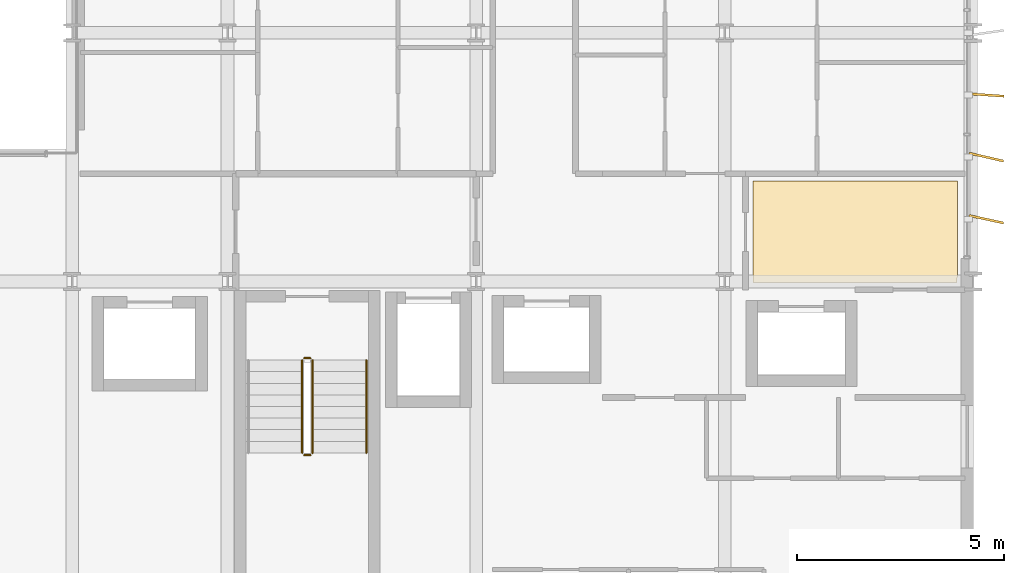
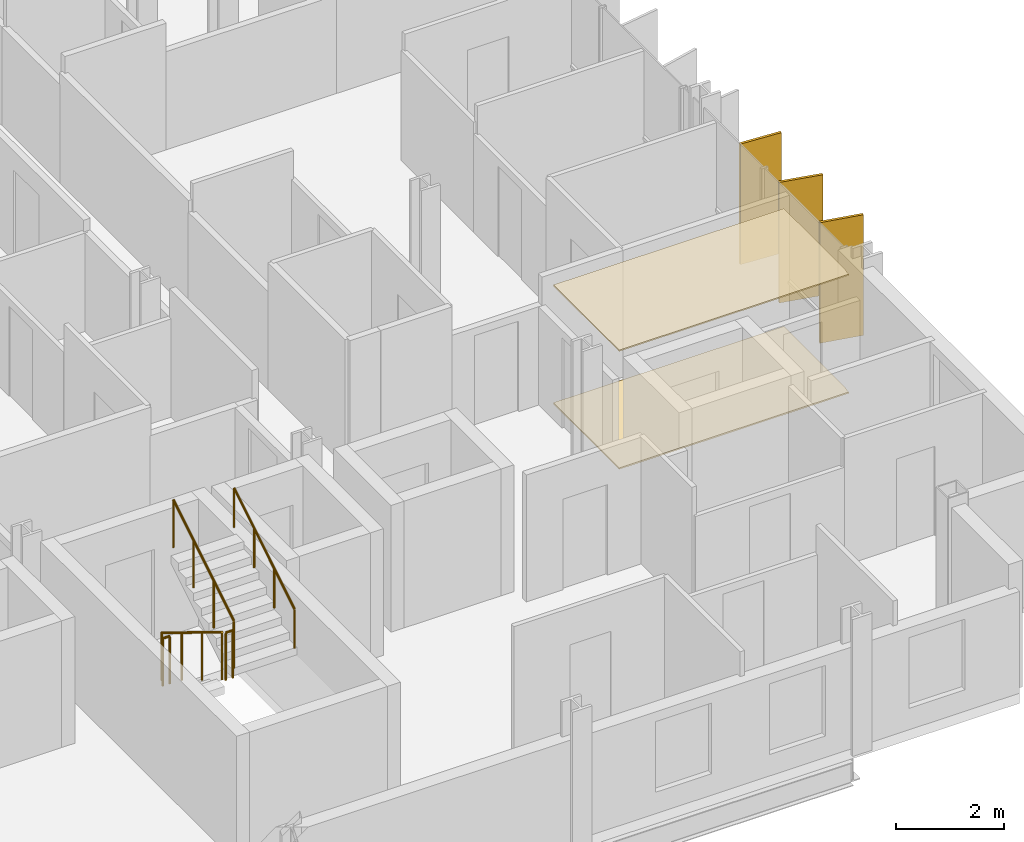
# One storey, part 37 of 38: 5 railings, 3 shading devices, 2 coverings.
"""IFC4 building model written with IfcOpenShell, lengths in metres."""

import ifcopenshell
import ifcopenshell.guid

model = None  # the IFC model being written
_history = None  # IfcOwnerHistory: only IFC2X3 demands one
_inside = {}  # id of a spatial element -> (the spatial element, [elements in it])
_under = {}  # id of a project, library or spatial element -> (it, [spatial elements below it])
_declared = {}  # id of a project -> (the project, [libraries it declares])
_typed = {}  # id of a type object -> (the type object, [elements of that type])
_made_of = {}  # id of a material, layer set ... -> (it, [elements and type objects made of it])


def new_model(schema):
    """Start an empty IFC model of exactly this schema.

    Asked for "IFC4X3", IfcOpenShell would pick the latest addendum, in which some entities
    have other attributes; the version numbers below select the first issue.
    IFC2X3 requires an IfcOwnerHistory on every rooted entity: one is made here for all.
    """
    global model, _history
    if schema == "IFC4X3":
        model = ifcopenshell.file(schema_version=(4, 3, 0, 0))
    else:
        model = ifcopenshell.file(schema=schema)
    _inside.clear()
    _under.clear()
    _declared.clear()
    _typed.clear()
    _made_of.clear()
    _history = None
    if model.schema == "IFC2X3":
        org = make("IfcOrganization", Name="unknown")
        user = make(
            "IfcPersonAndOrganization",
            ThePerson=make("IfcPerson", FamilyName="unknown"),
            TheOrganization=org,
        )
        app = make(
            "IfcApplication",
            ApplicationDeveloper=org,
            Version="unknown",
            ApplicationFullName="unknown",
            ApplicationIdentifier="unknown",
        )
        _history = make(
            "IfcOwnerHistory",
            OwningUser=user,
            OwningApplication=app,
            ChangeAction="ADDED",
            CreationDate=0,
        )
    return model


def make(cls, **values):
    """One entity of the class cls with the attributes given. An attribute that is None is left unset."""
    return model.create_entity(
        cls, **{name: value for name, value in values.items() if value is not None}
    )


def rooted(cls, **values):
    """An entity with a GlobalId (a new one), such as an element, a storey or a relation."""
    return make(cls, GlobalId=ifcopenshell.guid.new(), OwnerHistory=_history, **values)


def si_unit(unit_type, name, prefix=None):
    """IfcSIUnit, for example si_unit("LENGTHUNIT", "METRE", prefix="MILLI")."""
    return make("IfcSIUnit", UnitType=unit_type, Prefix=prefix, Name=name)


def assignment(units):
    """IfcUnitAssignment: the units of a project."""
    return None if units is None else make("IfcUnitAssignment", Units=units)


def point(xyz):
    """IfcCartesianPoint."""
    return None if xyz is None else make("IfcCartesianPoint", Coordinates=xyz)


def direction(xyz):
    """IfcDirection."""
    return None if xyz is None else make("IfcDirection", DirectionRatios=xyz)


def frame(location, z_axis=None, x_axis=None):
    """IfcAxis2Placement3D, a coordinate frame: its origin and axes. An axis left out is left unset."""
    return make(
        "IfcAxis2Placement3D",
        Location=point(location),
        Axis=direction(z_axis),
        RefDirection=direction(x_axis),
    )


def frame_2d(location, x_axis=None):
    """IfcAxis2Placement2D, a coordinate frame in the plane: its origin and x axis."""
    return make(
        "IfcAxis2Placement2D", Location=point(location), RefDirection=direction(x_axis)
    )


def origin():
    """The frame at (0, 0, 0) with its axes left unset."""
    return frame((0.0, 0.0, 0.0))


def origin_2d():
    """The frame at (0, 0) in the plane with its x axis left unset."""
    return frame_2d((0.0, 0.0))


def place(relative_to, where):
    """IfcLocalPlacement: puts the frame where relative to a parent placement (None: the world)."""
    return make(
        "IfcLocalPlacement", PlacementRelTo=relative_to, RelativePlacement=where
    )


def context(
    kind, dimensions, precision=None, world=None, true_north=None, identifier=None
):
    """IfcGeometricRepresentationContext, for example the 3D "Model" context."""
    return make(
        "IfcGeometricRepresentationContext",
        ContextIdentifier=identifier,
        ContextType=kind,
        CoordinateSpaceDimension=dimensions,
        Precision=precision,
        WorldCoordinateSystem=world,
        TrueNorth=true_north,
    )


def subcontext(parent, identifier, kind, view, scale=None):
    """IfcGeometricRepresentationSubContext, for example "Body" below "Model"."""
    return make(
        "IfcGeometricRepresentationSubContext",
        ContextIdentifier=identifier,
        ContextType=kind,
        ParentContext=parent,
        TargetScale=scale,
        TargetView=view,
    )


def project(units=None, contexts=None):
    """IfcProject with its units and contexts."""
    return rooted(
        "IfcProject",
        Name="project",
        RepresentationContexts=contexts,
        UnitsInContext=assignment(units),
    )


def spatial(cls, under=None, at=None, **own):
    """A site, building, storey or space (cls), placed at a placement, below another one or the project."""
    s = rooted(cls, ObjectPlacement=at, **own)
    if under is not None:
        _under.setdefault(under.id(), (under, []))[1].append(s)
    return s


def polyline(points):
    """IfcPolyline through the points."""
    return make("IfcPolyline", Points=[point(p) for p in points])


def profile(cls, at=None, kind="AREA", **sizes):
    """A parametric profile (cls). Its sizes go by their IFC names, for example OverallWidth=200.0."""
    return make(cls, ProfileType=kind, Position=at, **sizes)


def rectangle(**sizes):
    """IfcRectangleProfileDef."""
    return profile("IfcRectangleProfileDef", **sizes)


def circle(**sizes):
    """IfcCircleProfileDef."""
    return profile("IfcCircleProfileDef", **sizes)


def outline(outer, holes=None, kind="AREA"):
    """IfcArbitraryClosedProfileDef: a profile drawn as a closed curve; with holes, ...WithVoids."""
    if holes is None:
        return make("IfcArbitraryClosedProfileDef", ProfileType=kind, OuterCurve=outer)
    return make(
        "IfcArbitraryProfileDefWithVoids",
        ProfileType=kind,
        OuterCurve=outer,
        InnerCurves=holes,
    )


def extrude(swept, where, along, depth):
    """IfcExtrudedAreaSolid: the profile swept, set in the frame where, extruded along a direction by depth."""
    return make(
        "IfcExtrudedAreaSolid",
        SweptArea=swept,
        Position=where,
        ExtrudedDirection=direction(along),
        Depth=depth,
    )


def shape(context_of_items, identifier, shape_type, items):
    """IfcShapeRepresentation: the items that make up one representation, for example the "Body"."""
    return make(
        "IfcShapeRepresentation",
        ContextOfItems=context_of_items,
        RepresentationIdentifier=identifier,
        RepresentationType=shape_type,
        Items=items,
    )


def material(Name=None, Category=None):
    """IfcMaterial."""
    return make("IfcMaterial", Name=Name, Category=Category)


def layer(
    of_material, thickness, ventilated=None, Name=None, Category=None, Priority=None
):
    """IfcMaterialLayer: one layer of a wall or slab, of a material (None: an air gap)."""
    return make(
        "IfcMaterialLayer",
        Material=of_material,
        LayerThickness=thickness,
        IsVentilated=ventilated,
        Name=Name,
        Category=Category,
        Priority=Priority,
    )


def layer_set(layers, Name=None):
    """IfcMaterialLayerSet."""
    return make("IfcMaterialLayerSet", MaterialLayers=layers, LayerSetName=Name)


def made_of(thing, what):
    """Note that an element or type object is made of a material, layer set ...; save() writes the relation."""
    if what is not None:
        _made_of.setdefault(what.id(), (what, []))[1].append(thing)
    return thing


def type_object(cls, material=None, **own):
    """A type object (cls), such as IfcWallType, which elements share."""
    return made_of(rooted(cls, **own), material)


def element(
    cls,
    number,
    at=None,
    inside=None,
    cuts=None,
    type_object=None,
    material=None,
    context=None,
    identifier="Body",
    shape_type=None,
    held_by="IfcProductDefinitionShape",
    body=None,
    shapes=None,
    **own,
):
    """One element of the class cls, such as IfcWall. Its Tag is "e" and its number.

    at: its placement. inside: the storey or other place that contains it. cuts: it is an
    opening in that element (IfcRelVoidsElement). A single representation is given by context,
    identifier, shape_type and body (its items); several are given by shapes. held_by: the class
    of the entity that holds the representations. save() writes the other relations.
    """
    e = rooted(cls, Tag="e%d" % number, ObjectPlacement=at, **own)
    if body is not None:
        shapes = [shape(context, identifier, shape_type, body)]
    if shapes is not None:
        e.Representation = make(held_by, Representations=shapes)
    if inside is not None:
        _inside.setdefault(inside.id(), (inside, []))[1].append(e)
    if cuts is not None:
        rooted(
            "IfcRelVoidsElement", RelatingBuildingElement=cuts, RelatedOpeningElement=e
        )
    if type_object is not None:
        _typed.setdefault(type_object.id(), (type_object, []))[1].append(e)
    return made_of(e, material)


def aggregate(whole, parts):
    """IfcRelAggregates: a whole, such as a stair, and the parts it consists of."""
    return rooted("IfcRelAggregates", RelatingObject=whole, RelatedObjects=parts)


def save(model, path):
    """Write the relations noted so far, then the file.

    IfcRelAggregates (storeys below a building ...), IfcRelContainedInSpatialStructure (elements
    in a storey), IfcRelDefinesByType, IfcRelAssociatesMaterial and IfcRelDeclares: one each for
    every whole, place, type object, material and project.
    """
    for whole, parts in _under.values():
        aggregate(whole, parts)
    for where, things in _inside.values():
        rooted(
            "IfcRelContainedInSpatialStructure",
            RelatedElements=things,
            RelatingStructure=where,
        )
    for kind, things in _typed.values():
        rooted("IfcRelDefinesByType", RelatedObjects=things, RelatingType=kind)
    for what, things in _made_of.values():
        rooted("IfcRelAssociatesMaterial", RelatedObjects=things, RelatingMaterial=what)
    for by, libraries in _declared.values():
        rooted("IfcRelDeclares", RelatingContext=by, RelatedDefinitions=libraries)
    model.write(path)


model = new_model("IFC4")

# Units and contexts
model_context = context("Model", 3, precision=1e-05, world=origin(), true_north=direction((0.0, 1.0)))
body_context = subcontext(model_context, "Body", "Model", "MODEL_VIEW")
ifc_project = project(units=[si_unit("LENGTHUNIT", "METRE"), si_unit("AREAUNIT", "SQUARE_METRE"), si_unit("VOLUMEUNIT", "CUBIC_METRE"), si_unit("PLANEANGLEUNIT", "RADIAN"), si_unit("MASSUNIT", "GRAM", prefix="KILO")], contexts=[model_context])

# Site, building, storey
site_placement = place(None, origin())
site = spatial("IfcSite", under=ifc_project, at=site_placement, CompositionType="ELEMENT")
building_placement = place(site_placement, origin())
building = spatial("IfcBuilding", under=site, at=building_placement, Name="Brevholm Reach", CompositionType="ELEMENT")
storey_placement = place(building_placement, frame((0.0, 0.0, 71.39990234375)))
storey = spatial("IfcBuildingStorey", under=building, at=storey_placement, Name="L20", CompositionType="ELEMENT", Elevation=71.39990234375)

# Coverings
ifc_material_1 = material(Name="Moisture-Resistant Skimmed Gypsum Plasterboard Ceiling", Category="gypsum")
ifc_layer_1 = layer(ifc_material_1, 0.030029296875)
ifc_layer_set_1 = layer_set([ifc_layer_1], Name="Moisture-Resistant Skimmed Gypsum Plasterboard Ceiling")
covering_type_1 = type_object("IfcCoveringType", Name="COV-CLG-GYP", PredefinedType="CEILING", material=ifc_layer_set_1)
covering_1_placement = place(storey_placement, frame((0.0, 0.0, 2.670166015625)))
element("IfcCovering", 1, at=covering_1_placement, inside=storey, type_object=covering_type_1, Name="L20 Suspended Ceiling L20-32", PredefinedType="CEILING", context=body_context, shape_type="SweptSolid", body=[
    extrude(outline(polyline([(59.6201171875, 12.419921875), (59.6201171875, 10.123779296875), (59.6171875, 10.1162109375), (59.607666015625, 10.077880859375), (59.601806640625, 10.039306640625), (59.60009765625, 10.0), (59.60107421875, 9.97998046875), (54.68408203125, 9.97998046875), (54.68408203125, 12.419921875), (59.6201171875, 12.419921875)])), origin(), (0.0, 0.0, 1.0), 0.030029296875),
])
ifc_material_2 = material(Name="Honed Portland-Aggregate Resin Terrazzo Flooring", Category="concrete")
ifc_layer_2 = layer(ifc_material_2, 0.031982421875)
ifc_layer_set_2 = layer_set([ifc_layer_2], Name="Honed Portland-Aggregate Resin Terrazzo Flooring")
covering_type_2 = type_object("IfcCoveringType", Name="COV-FLR-TRZ", PredefinedType="FLOORING", material=ifc_layer_set_2)
covering_2_placement = place(storey_placement, origin())
element("IfcCovering", 2, at=covering_2_placement, inside=storey, type_object=covering_type_2, Name="L20 Floor Finish L20-32", PredefinedType="FLOORING", context=body_context, shape_type="SweptSolid", body=[
    extrude(outline(polyline([(59.6201171875, 12.419921875), (59.6201171875, 10.123779296875), (59.6171875, 10.1162109375), (59.607666015625, 10.077880859375), (59.601806640625, 10.039306640625), (59.60009765625, 10.0), (59.60107421875, 9.97998046875), (54.68408203125, 9.97998046875), (54.68408203125, 12.419921875), (59.6201171875, 12.419921875)])), origin(), (0.0, 0.0, 1.0), 0.031982421875),
])

# Railings
ifc_material_3 = material(Name="Brushed Stainless Steel EN 1.4401 Continuous Handrail", Category="steel")
railing_type_1 = type_object("IfcRailingType", Name="RAL-HND-950", PredefinedType="HANDRAIL", material=ifc_material_3)
railing_1_placement = place(storey_placement, frame((45.35009765625, 5.860107421875, 1.722412109375)))
element("IfcRailing", 3, at=railing_1_placement, inside=storey, type_object=railing_type_1, Name="L20 ST-2 stair handrail 2", PredefinedType="HANDRAIL", context=body_context, shape_type="SweptSolid", body=[
    extrude(circle(Radius=0.02392578125, at=origin_2d()), frame((0.0, 0.0, 0.8857421875), z_axis=(0.0, 0.85178898068, 0.523885037382), x_axis=(-1.0, 0.0, 0.0)), (0.0, 0.0, 1.0), 2.629638671875),
    extrude(circle(Radius=0.02099609375, at=origin_2d()), origin(), (0.0, 0.0, 1.0), 0.86181640625),
    extrude(circle(Radius=0.02099609375, at=origin_2d()), frame((0.0, 0.74658203125, 0.459228515625)), (0.0, 0.0, 1.0), 0.86181640625),
    extrude(circle(Radius=0.02099609375, at=origin_2d()), frame((0.0, 1.493408203125, 0.91845703125)), (0.0, 0.0, 1.0), 0.86181640625),
    extrude(circle(Radius=0.02099609375, at=origin_2d()), frame((0.0, 2.239990234375, 1.377685546875)), (0.0, 0.0, 1.0), 0.86181640625),
])
ifc_material_4 = material(Name="Painted Tubular Galvanised Steel S275JR Stair Guard", Category="steel")
railing_type_2 = type_object("IfcRailingType", Name="RAL-STG-1120", PredefinedType="BALUSTRADE", material=ifc_material_4)
railing_2_placement = place(storey_placement, frame((43.800048828125, 8.10009765625, 0.17236328125)))
element("IfcRailing", 4, at=railing_2_placement, inside=storey, type_object=railing_type_2, Name="L20 ST-2 stair guard 1", PredefinedType="BALUSTRADE", context=body_context, shape_type="SweptSolid", body=[
    extrude(circle(Radius=0.02392578125, at=origin_2d()), frame((0.0, 0.0, 1.076171875), z_axis=(0.0, -0.85178898068, 0.523885037382), x_axis=(1.0, 0.0, 0.0)), (0.0, 0.0, 1.0), 2.629638671875),
    extrude(circle(Radius=0.02099609375, at=origin_2d()), origin(), (0.0, 0.0, 1.0), 1.052001953125),
    extrude(circle(Radius=0.02099609375, at=origin_2d()), frame((0.0, -0.74658203125, 0.459228515625)), (0.0, 0.0, 1.0), 1.052001953125),
    extrude(circle(Radius=0.02099609375, at=origin_2d()), frame((0.0, -1.493408203125, 0.91845703125)), (0.0, 0.0, 1.0), 1.052001953125),
    extrude(circle(Radius=0.02099609375, at=origin_2d()), frame((0.0, -2.239990234375, 1.377685546875)), (0.0, 0.0, 1.0), 1.052001953125),
])
railing_3_placement = place(storey_placement, frame((43.85009765625, 5.81005859375, 1.550048828125)))
element("IfcRailing", 5, at=railing_3_placement, inside=storey, type_object=railing_type_2, Name="L20 ST-2 stair guard 2", PredefinedType="BALUSTRADE", context=body_context, shape_type="SweptSolid", body=[
    extrude(circle(Radius=0.02392578125, at=origin_2d()), frame((0.0, 0.0, 1.076171875), z_axis=(1.0, 0.0, 0.0), x_axis=(0.0, 1.0, 0.0)), (0.0, 0.0, 1.0), 0.14990234375),
    extrude(circle(Radius=0.02099609375, at=origin_2d()), origin(), (0.0, 0.0, 1.0), 1.052001953125),
    extrude(circle(Radius=0.02099609375, at=origin_2d()), frame((0.14990234375, 0.0, 0.0)), (0.0, 0.0, 1.0), 1.052001953125),
])
railing_4_placement = place(storey_placement, frame((44.050048828125, 5.860107421875, 1.722412109375)))
element("IfcRailing", 6, at=railing_4_placement, inside=storey, type_object=railing_type_2, Name="L20 ST-2 stair guard 3", PredefinedType="BALUSTRADE", context=body_context, shape_type="SweptSolid", body=[
    extrude(circle(Radius=0.02392578125, at=origin_2d()), frame((0.0, 0.0, 1.076171875), z_axis=(0.0, 0.85178898068, 0.523885037382), x_axis=(-1.0, 0.0, 0.0)), (0.0, 0.0, 1.0), 2.629638671875),
    extrude(circle(Radius=0.02099609375, at=origin_2d()), origin(), (0.0, 0.0, 1.0), 1.052001953125),
    extrude(circle(Radius=0.02099609375, at=origin_2d()), frame((0.0, 0.74658203125, 0.459228515625)), (0.0, 0.0, 1.0), 1.052001953125),
    extrude(circle(Radius=0.02099609375, at=origin_2d()), frame((0.0, 1.493408203125, 0.91845703125)), (0.0, 0.0, 1.0), 1.052001953125),
    extrude(circle(Radius=0.02099609375, at=origin_2d()), frame((0.0, 2.239990234375, 1.377685546875)), (0.0, 0.0, 1.0), 1.052001953125),
])
railing_5_placement = place(storey_placement, frame((43.85009765625, 8.14990234375, 0.0)))
element("IfcRailing", 7, at=railing_5_placement, inside=storey, type_object=railing_type_2, Name="L20 ST-2 stair guard 4", PredefinedType="BALUSTRADE", context=body_context, shape_type="SweptSolid", body=[
    extrude(circle(Radius=0.02392578125, at=origin_2d()), frame((0.0, 0.0, 1.076171875), z_axis=(1.0, 0.0, 0.0), x_axis=(0.0, 1.0, 0.0)), (0.0, 0.0, 1.0), 0.14990234375),
    extrude(circle(Radius=0.02099609375, at=origin_2d()), origin(), (0.0, 0.0, 1.0), 1.052001953125),
    extrude(circle(Radius=0.02099609375, at=origin_2d()), frame((0.14990234375, 0.0, 0.0)), (0.0, 0.0, 1.0), 1.052001953125),
])

# Shading devices
ifc_material_5 = material(Name="Perforated Champagne-Bronze Anodised Aluminium", Category="aluminium")
ifc_layer_3 = layer(ifc_material_5, 0.054931640625)
ifc_layer_set_3 = layer_set([ifc_layer_3], Name="Perforated Champagne-Bronze Anodised Aluminium")
shading_device_type = type_object("IfcShadingDeviceType", Name="SHD-FIN-850", PredefinedType="USERDEFINED", material=ifc_layer_set_3)
for number, where, z_axis, x_axis, name in (
    (8, (60.31494140625, 11.5, 0.070068359375), (0.0, 0.0, 1.0), (0.977197765616, -0.212331172641, 0.0), "L20 Perforated Solar Screen Fin 1"),
    (9, (60.31494140625, 13.0, 0.070068359375), (0.0, 0.0, 1.0), (0.974648072299, -0.223743458369, 0.0), "L20 Perforated Solar Screen Fin 2"),
    (10, (60.31494140625, 14.5, 0.070068359375), (0.0, 0.0, 1.0), (0.997727993163, -0.067371000132, 0.0), "L20 Perforated Solar Screen Fin 3"),
):
    element("IfcShadingDevice", number, at=place(storey_placement, frame(where, z_axis=z_axis, x_axis=x_axis)), inside=storey, type_object=shading_device_type, Name=name, ObjectType="SCREEN", PredefinedType="USERDEFINED", context=body_context, shape_type="SweptSolid", body=[
        extrude(rectangle(XDim=0.85009765625, YDim=0.054931640625, at=origin_2d()), origin(), (0.0, 0.0, 1.0), 2.72998046875),
    ])

save(model, "model.ifc")
